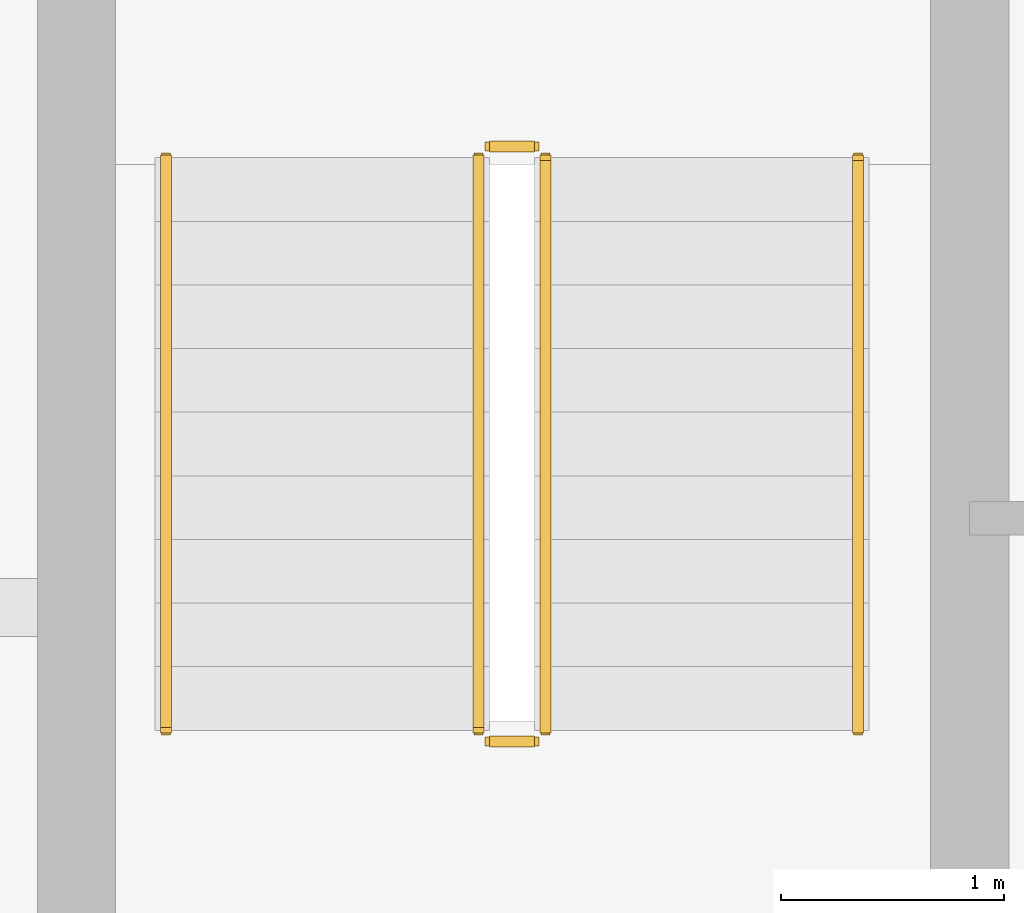
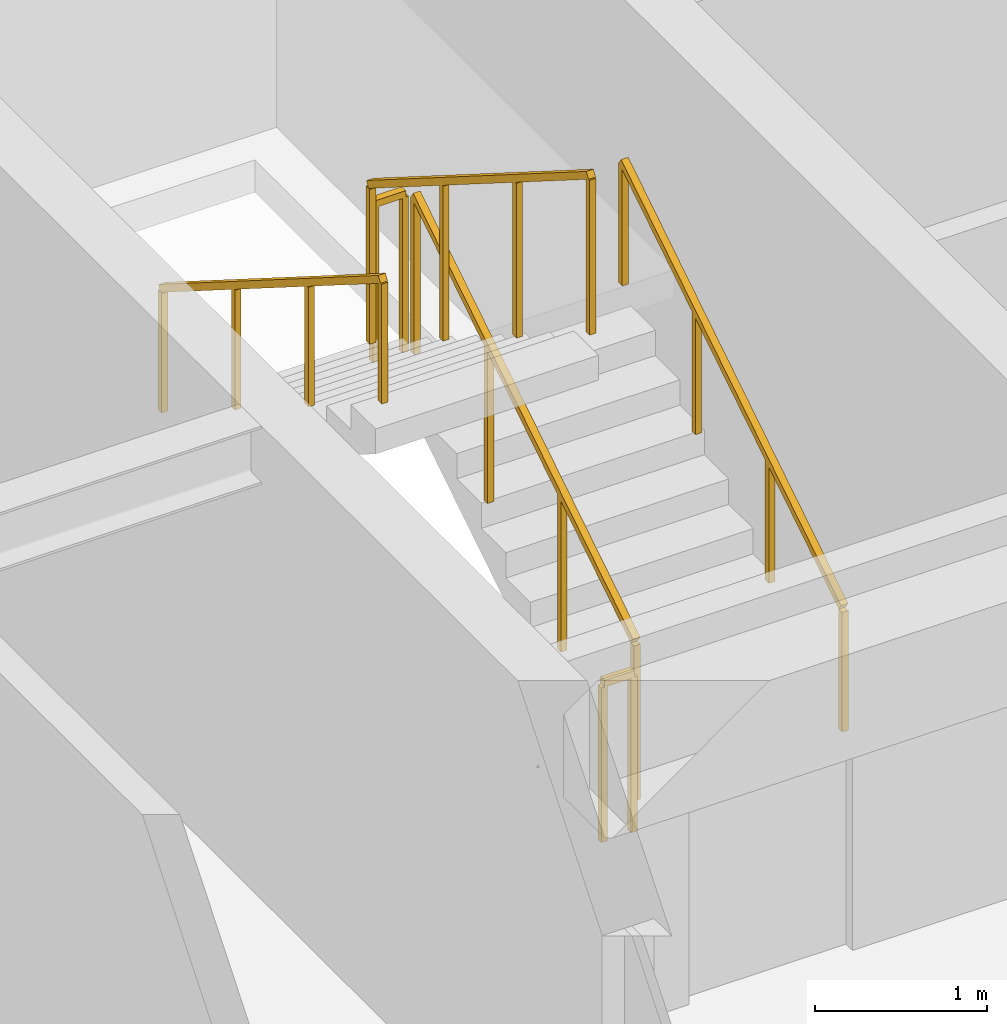
# One storey, part 21 of 23: 6 railings.
"""IFC4 building model written with IfcOpenShell, lengths in metres."""

from ifc_helpers import new_model, si_unit, direction, frame, origin, origin_2d, place, context, subcontext, project, spatial, rectangle, extrude, material, type_object, element, save


model = new_model("IFC4")

# Units and contexts
model_context = context("Model", 3, precision=1e-05, world=origin(), true_north=direction((0.0, 1.0)))
body_context = subcontext(model_context, "Body", "Model", "MODEL_VIEW")
ifc_project = project(units=[si_unit("LENGTHUNIT", "METRE"), si_unit("AREAUNIT", "SQUARE_METRE"), si_unit("VOLUMEUNIT", "CUBIC_METRE"), si_unit("PLANEANGLEUNIT", "RADIAN"), si_unit("MASSUNIT", "GRAM", prefix="KILO")], contexts=[model_context])

# Site, building, storey
site_placement = place(None, origin())
site = spatial("IfcSite", under=ifc_project, at=site_placement, CompositionType="ELEMENT")
building_placement = place(site_placement, origin())
building = spatial("IfcBuilding", under=site, at=building_placement, Name="Sarneth Arch Tower", CompositionType="ELEMENT")
storey_placement = place(building_placement, frame((0.0, 0.0, 276.60009765625)))
storey = spatial("IfcBuildingStorey", under=building, at=storey_placement, Name="L71", CompositionType="ELEMENT", Elevation=276.60009765625)

# Railings
ifc_material_1 = material(Name="Brushed Stainless Steel 304 tubular handrail", Category="steel")
railing_type_1 = type_object("IfcRailingType", Name="RAIL-HANDRAIL-900", PredefinedType="HANDRAIL", material=ifc_material_1)
railing_1_placement = place(storey_placement, frame((40.5, 41.449951171875, 0.179931640625)))
element("IfcRailing", 1, at=railing_1_placement, inside=storey, type_object=railing_type_1, Name="L71 ST-1 stair handrail 1", PredefinedType="HANDRAIL", context=body_context, shape_type="SweptSolid", body=[
    extrude(rectangle(XDim=0.048095703125, YDim=0.048095703125, at=origin_2d()), frame((0.0, 0.0, 0.8759765625), z_axis=(0.0, 0.845502289212, 0.533971796014), x_axis=(-1.0, 0.0, 0.0)), (0.0, 0.0, 1.0), 3.03369140625),
    extrude(rectangle(XDim=0.0419921875, YDim=0.0419921875, at=origin_2d()), origin(), (0.0, 0.0, 1.0), 0.851806640625),
    extrude(rectangle(XDim=0.0419921875, YDim=0.0419921875, at=origin_2d()), frame((0.0, 0.85498046875, 0.5400390625)), (0.0, 0.0, 1.0), 0.851806640625),
    extrude(rectangle(XDim=0.0419921875, YDim=0.0419921875, at=origin_2d()), frame((0.0, 1.7099609375, 1.079833984375)), (0.0, 0.0, 1.0), 0.851806640625),
    extrude(rectangle(XDim=0.0419921875, YDim=0.0419921875, at=origin_2d()), frame((0.0, 2.56494140625, 1.619873046875)), (0.0, 0.0, 1.0), 0.851806640625),
])
railing_2_placement = place(storey_placement, frame((37.39990234375, 44.014892578125, 1.97998046875)))
element("IfcRailing", 2, at=railing_2_placement, inside=storey, type_object=railing_type_1, Name="L71 ST-1 stair handrail 2", PredefinedType="HANDRAIL", context=body_context, shape_type="SweptSolid", body=[
    extrude(rectangle(XDim=0.048095703125, YDim=0.048095703125, at=origin_2d()), frame((0.0, 0.0, 0.8759765625), z_axis=(0.0, -0.845502289212, 0.533971796014), x_axis=(1.0, 0.0, 0.0)), (0.0, 0.0, 1.0), 3.03369140625),
    extrude(rectangle(XDim=0.0419921875, YDim=0.0419921875, at=origin_2d()), origin(), (0.0, 0.0, 1.0), 0.851806640625),
    extrude(rectangle(XDim=0.0419921875, YDim=0.0419921875, at=origin_2d()), frame((0.0, -0.85498046875, 0.5400390625)), (0.0, 0.0, 1.0), 0.851806640625),
    extrude(rectangle(XDim=0.0419921875, YDim=0.0419921875, at=origin_2d()), frame((0.0, -1.7099609375, 1.079833984375)), (0.0, 0.0, 1.0), 0.851806640625),
    extrude(rectangle(XDim=0.0419921875, YDim=0.0419921875, at=origin_2d()), frame((0.0, -2.56494140625, 1.619873046875)), (0.0, 0.0, 1.0), 0.851806640625),
])
ifc_material_2 = material(Name="Painted Steel S275 stair well guard", Category="steel")
railing_type_2 = type_object("IfcRailingType", Name="RAIL-STAIR-GUARD", PredefinedType="GUARDRAIL", material=ifc_material_2)
railing_3_placement = place(storey_placement, frame((39.10009765625, 41.449951171875, 0.179931640625)))
element("IfcRailing", 3, at=railing_3_placement, inside=storey, type_object=railing_type_2, Name="L71 ST-1 stair guard 1", PredefinedType="GUARDRAIL", context=body_context, shape_type="SweptSolid", body=[
    extrude(rectangle(XDim=0.048095703125, YDim=0.048095703125, at=origin_2d()), frame((0.0, 0.0, 1.1259765625), z_axis=(0.0, 0.845502289212, 0.533971796014), x_axis=(-1.0, 0.0, 0.0)), (0.0, 0.0, 1.0), 3.03369140625),
    extrude(rectangle(XDim=0.0419921875, YDim=0.0419921875, at=origin_2d()), origin(), (0.0, 0.0, 1.0), 1.101806640625),
    extrude(rectangle(XDim=0.0419921875, YDim=0.0419921875, at=origin_2d()), frame((0.0, 0.85498046875, 0.5400390625)), (0.0, 0.0, 1.0), 1.101806640625),
    extrude(rectangle(XDim=0.0419921875, YDim=0.0419921875, at=origin_2d()), frame((0.0, 1.7099609375, 1.079833984375)), (0.0, 0.0, 1.0), 1.101806640625),
    extrude(rectangle(XDim=0.0419921875, YDim=0.0419921875, at=origin_2d()), frame((0.0, 2.56494140625, 1.619873046875)), (0.0, 0.0, 1.0), 1.101806640625),
])
railing_4_placement = place(storey_placement, frame((39.050048828125, 44.06494140625, 1.7998046875)))
element("IfcRailing", 4, at=railing_4_placement, inside=storey, type_object=railing_type_2, Name="L71 ST-1 stair guard 2", PredefinedType="GUARDRAIL", context=body_context, shape_type="SweptSolid", body=[
    extrude(rectangle(XDim=0.048095703125, YDim=0.048095703125, at=origin_2d()), frame((0.0, 0.0, 1.1259765625), z_axis=(-1.0, 0.0, 0.0), x_axis=(0.0, -1.0, 0.0)), (0.0, 0.0, 1.0), 0.199951171875),
    extrude(rectangle(XDim=0.0419921875, YDim=0.0419921875, at=origin_2d()), origin(), (0.0, 0.0, 1.0), 1.101806640625),
    extrude(rectangle(XDim=0.0419921875, YDim=0.0419921875, at=origin_2d()), frame((-0.199951171875, 0.0, 0.0)), (0.0, 0.0, 1.0), 1.101806640625),
])
railing_5_placement = place(storey_placement, frame((38.800048828125, 44.014892578125, 1.97998046875)))
element("IfcRailing", 5, at=railing_5_placement, inside=storey, type_object=railing_type_2, Name="L71 ST-1 stair guard 3", PredefinedType="GUARDRAIL", context=body_context, shape_type="SweptSolid", body=[
    extrude(rectangle(XDim=0.048095703125, YDim=0.048095703125, at=origin_2d()), frame((0.0, 0.0, 1.1259765625), z_axis=(0.0, -0.845502289212, 0.533971796014), x_axis=(1.0, 0.0, 0.0)), (0.0, 0.0, 1.0), 3.03369140625),
    extrude(rectangle(XDim=0.0419921875, YDim=0.0419921875, at=origin_2d()), origin(), (0.0, 0.0, 1.0), 1.101806640625),
    extrude(rectangle(XDim=0.0419921875, YDim=0.0419921875, at=origin_2d()), frame((0.0, -0.85498046875, 0.5400390625)), (0.0, 0.0, 1.0), 1.101806640625),
    extrude(rectangle(XDim=0.0419921875, YDim=0.0419921875, at=origin_2d()), frame((0.0, -1.7099609375, 1.079833984375)), (0.0, 0.0, 1.0), 1.101806640625),
    extrude(rectangle(XDim=0.0419921875, YDim=0.0419921875, at=origin_2d()), frame((0.0, -2.56494140625, 1.619873046875)), (0.0, 0.0, 1.0), 1.101806640625),
])
railing_6_placement = place(storey_placement, frame((39.050048828125, 41.39990234375, 0.0)))
element("IfcRailing", 6, at=railing_6_placement, inside=storey, type_object=railing_type_2, Name="L71 ST-1 stair guard 4", PredefinedType="GUARDRAIL", context=body_context, shape_type="SweptSolid", body=[
    extrude(rectangle(XDim=0.048095703125, YDim=0.048095703125, at=origin_2d()), frame((0.0, 0.0, 1.1259765625), z_axis=(-1.0, 0.0, 0.0), x_axis=(0.0, -1.0, 0.0)), (0.0, 0.0, 1.0), 0.199951171875),
    extrude(rectangle(XDim=0.0419921875, YDim=0.0419921875, at=origin_2d()), origin(), (0.0, 0.0, 1.0), 1.101806640625),
    extrude(rectangle(XDim=0.0419921875, YDim=0.0419921875, at=origin_2d()), frame((-0.199951171875, 0.0, 0.0)), (0.0, 0.0, 1.0), 1.101806640625),
])

save(model, "model.ifc")
